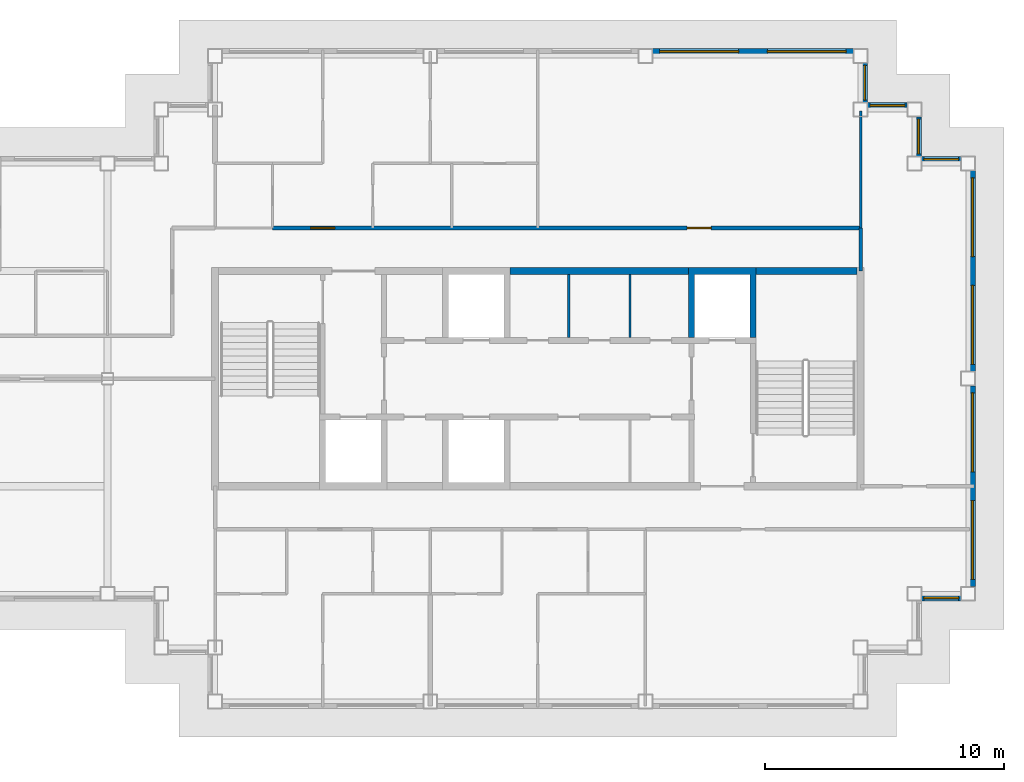
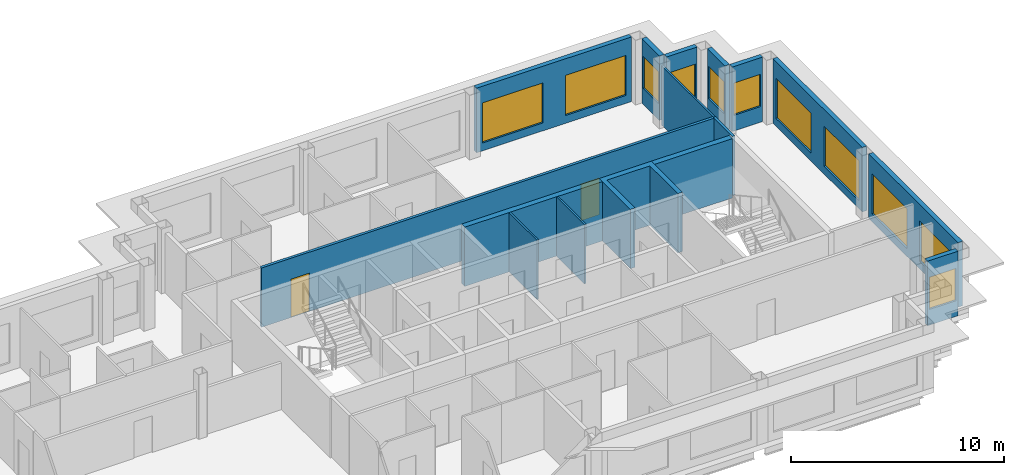
# One storey, part 6 of 11: 16 walls, 11 windows, 2 doors, 13 openings.
"""IFC4 building model written with IfcOpenShell, lengths in metres."""

from ifc_helpers import new_model, si_unit, direction, frame, frame_2d, origin, place, context, subcontext, project, spatial, polyline, rectangle, outline, extrude, material, layer, layer_set, type_object, element, fill, save


model = new_model("IFC4")

# Units and contexts
model_context = context("Model", 3, precision=1e-05, world=origin(), true_north=direction((0.0, 1.0)))
body_context = subcontext(model_context, "Body", "Model", "MODEL_VIEW")
ifc_project = project(units=[si_unit("LENGTHUNIT", "METRE"), si_unit("AREAUNIT", "SQUARE_METRE"), si_unit("VOLUMEUNIT", "CUBIC_METRE"), si_unit("PLANEANGLEUNIT", "RADIAN"), si_unit("MASSUNIT", "GRAM", prefix="KILO")], contexts=[model_context])

# Site, building, storey
site_placement = place(None, origin())
site = spatial("IfcSite", under=ifc_project, at=site_placement, CompositionType="ELEMENT")
building_placement = place(site_placement, origin())
building = spatial("IfcBuilding", under=site, at=building_placement, Name="Caravel Reach Hotel and Residences", CompositionType="ELEMENT")
storey_placement = place(building_placement, frame((0.0, 0.0, 256.39990234375)))
storey = spatial("IfcBuildingStorey", under=building, at=storey_placement, Name="L65", CompositionType="ELEMENT", Elevation=256.39990234375)

# Walls
ifc_material_1 = material(Name="Concrete C60", Category="concrete")
ifc_layer_1 = layer(ifc_material_1, 0.300048828125)
ifc_layer_set_1 = layer_set([ifc_layer_1], Name="Core wall 300 mm EI 120")
wall_type_1 = type_object("IfcWallType", Name="Core wall 300 mm EI 120", PredefinedType="SHEAR", material=ifc_layer_set_1)
wall_1_placement = place(storey_placement, frame((30.33935546875, 31.5, 0.0), z_axis=(0.0, 0.0, 1.0), x_axis=(1.0, 0.0, 0.0)))
element("IfcWall", 1, at=wall_1_placement, inside=storey, type_object=wall_type_1, Name="L65 core wall N2", PredefinedType="SHEAR", context=body_context, shape_type="SweptSolid", body=[
    extrude(rectangle(XDim=7.464111328125, YDim=0.300048828125, at=frame_2d((3.73193359375, 0.0))), origin(), (0.0, 0.0, 1.0), 3.400146484375),
])
wall_2_placement = place(storey_placement, frame((40.625, 31.5, 0.0), z_axis=(0.0, 0.0, 1.0), x_axis=(1.0, 0.0, 0.0)))
element("IfcWall", 2, at=wall_2_placement, inside=storey, type_object=wall_type_1, Name="L65 core wall N3", PredefinedType="SHEAR", context=body_context, shape_type="SweptSolid", body=[
    extrude(rectangle(XDim=4.22509765625, YDim=0.300048828125, at=frame_2d((2.112548828125, 0.0))), origin(), (0.0, 0.0, 1.0), 3.400146484375),
])

# Wall, openings, doors
ifc_material_2 = material(Name="Gypsum board on steel stud, fire-rated", Category="steel")
ifc_layer_2 = layer(ifc_material_2, 0.14990234375)
ifc_layer_set_2 = layer_set([ifc_layer_2], Name="Corridor wall 150 mm EI 60")
wall_type_2 = type_object("IfcWallType", Name="Corridor wall 150 mm EI 60", PredefinedType="PARTITIONING", material=ifc_layer_set_2)
wall_3_placement = place(storey_placement, frame((20.39990234375, 33.300048828125, 0.0), z_axis=(0.0, 0.0, 1.0), x_axis=(1.0, 0.0, 0.0)))
wall_3 = element("IfcWall", 3, at=wall_3_placement, inside=storey, type_object=wall_type_2, Name="L65 wall w012", PredefinedType="PARTITIONING", context=body_context, shape_type="SweptSolid", body=[
    extrude(rectangle(XDim=24.60009765625, YDim=0.14990234375, at=frame_2d((12.300048828125, 0.0))), origin(), (0.0, 0.0, 1.0), 3.400146484375),
])
opening_1_placement = place(wall_3_placement, frame((1.60009765625, 0.0, 0.0)))
opening_1 = element("IfcOpeningElement", 4, at=opening_1_placement, cuts=wall_3, Name="Opening D65-018", PredefinedType="OPENING", context=body_context, shape_type="SweptSolid", body=[
    extrude(rectangle(XDim=1.0, YDim=2.199951171875, at=frame_2d((0.5, 1.10009765625))), frame((0.0, 0.0849609375, 0.0), z_axis=(0.0, -1.0, 0.0), x_axis=(1.0, 0.0, 0.0)), (0.0, 0.0, 1.0), 0.169921875),
])
opening_2_placement = place(wall_3_placement, frame((17.35009765625, 0.0, 0.0)))
opening_2 = element("IfcOpeningElement", 5, at=opening_2_placement, cuts=wall_3, Name="Opening D65-024", PredefinedType="OPENING", context=body_context, shape_type="SweptSolid", body=[
    extrude(rectangle(XDim=1.0, YDim=2.10009765625, at=frame_2d((0.5, 1.050048828125))), frame((0.0, 0.0849609375, 0.0), z_axis=(0.0, -1.0, 0.0), x_axis=(1.0, 0.0, 0.0)), (0.0, 0.0, 1.0), 0.169921875),
])
ifc_material_3 = material(Name="Steel fire door leaf", Category="steel")
door_type_1 = type_object("IfcDoorType", Name="Fire door 1000 x 2100 EI 60", OperationType="SINGLE_SWING_LEFT", PredefinedType="DOOR", material=ifc_material_3)
door_1_placement = place(opening_2_placement, origin())
door_1 = element("IfcDoor", 6, at=door_1_placement, inside=storey, type_object=door_type_1, Name="door D65-024", OperationType="SINGLE_SWING_RIGHT", OverallHeight=2.10009765625, OverallWidth=1.0, PredefinedType="DOOR", context=body_context, shape_type="SweptSolid", body=[
    extrude(rectangle(XDim=1.0, YDim=2.10009765625, at=frame_2d((0.5, 1.050048828125))), frame((0.0, 0.02490234375, 0.0), z_axis=(0.0, -1.0, 0.0), x_axis=(1.0, 0.0, 0.0)), (0.0, 0.0, 1.0), 0.050048828125),
])
fill(opening_2, door_1)
ifc_material_4 = material(Name="Steel fire door leaf", Category="steel")
door_type_2 = type_object("IfcDoorType", Name="Flat entrance door 1000 x 2200 EI 60", OperationType="SINGLE_SWING_LEFT", PredefinedType="DOOR", material=ifc_material_4)
door_2_placement = place(opening_1_placement, origin())
door_2 = element("IfcDoor", 7, at=door_2_placement, inside=storey, type_object=door_type_2, Name="door D65-018", OperationType="SINGLE_SWING_RIGHT", OverallHeight=2.199951171875, OverallWidth=1.0, PredefinedType="DOOR", context=body_context, shape_type="SweptSolid", body=[
    extrude(rectangle(XDim=1.0, YDim=2.199951171875, at=frame_2d((0.5, 1.10009765625))), frame((0.0, 0.02490234375, 0.0), z_axis=(0.0, -1.0, 0.0), x_axis=(1.0, 0.0, 0.0)), (0.0, 0.0, 1.0), 0.050048828125),
])
fill(opening_1, door_2)

# Wall
wall_4_placement = place(storey_placement, frame((45.0, 31.5, 0.0), z_axis=(0.0, 0.0, 1.0), x_axis=(0.0, 1.0, 0.0)))
element("IfcWall", 8, at=wall_4_placement, inside=storey, type_object=wall_type_2, Name="L65 wall w020", PredefinedType="PARTITIONING", context=body_context, shape_type="SweptSolid", body=[
    extrude(rectangle(XDim=1.800048828125, YDim=0.14990234375, at=frame_2d((0.89990234375, 0.0))), origin(), (0.0, 0.0, 1.0), 3.400146484375),
])

# Wall, opening, window
ifc_material_5 = material(Name="Insulated rainscreen wall, aluminium cladding", Category="aluminium")
ifc_layer_3 = layer(ifc_material_5, 0.25)
ifc_layer_set_3 = layer_set([ifc_layer_3], Name="EW1 Tower rainscreen wall")
wall_type_3 = type_object("IfcWallType", Name="EW1 Tower rainscreen wall", PredefinedType="SOLIDWALL", material=ifc_layer_set_3)
wall_5_placement = place(storey_placement, frame((47.550048828125, 17.824951171875, 0.0), z_axis=(0.0, 0.0, 1.0), x_axis=(1.0, 0.0, 0.0)))
wall_5 = element("IfcWall", 9, at=wall_5_placement, inside=storey, type_object=wall_type_3, Name="External wall L65 S8.1", PredefinedType="SOLIDWALL", context=body_context, shape_type="SweptSolid", body=[
    extrude(rectangle(XDim=1.64990234375, YDim=0.25, at=frame_2d((0.824951171875, 0.0))), origin(), (0.0, 0.0, 1.0), 3.7001953125),
])
opening_3_placement = place(wall_5_placement, frame((0.10009765625, 0.0, 0.89990234375)))
opening_3 = element("IfcOpeningElement", 10, at=opening_3_placement, cuts=wall_5, Name="Opening WN25", PredefinedType="OPENING", context=body_context, shape_type="SweptSolid", body=[
    extrude(rectangle(XDim=1.449951171875, YDim=1.85009765625, at=frame_2d((0.72509765625, 0.925048828125))), frame((0.0, 0.135009765625, 0.0), z_axis=(0.0, -1.0, 0.0), x_axis=(1.0, 0.0, 0.0)), (0.0, 0.0, 1.0), 0.27001953125),
])
ifc_material_6 = material(Name="Dark low-e glazing in black aluminium frame", Category="aluminium")
window_type_1 = type_object("IfcWindowType", Name="Residence bedroom window 1450 x 1850", PartitioningType="SINGLE_PANEL", PredefinedType="WINDOW", material=ifc_material_6)
window_1_placement = place(opening_3_placement, origin())
window_1 = element("IfcWindow", 11, at=window_1_placement, inside=storey, type_object=window_type_1, Name="Window L65 S8.1.1", OverallHeight=1.85009765625, OverallWidth=1.449951171875, PartitioningType="SINGLE_PANEL", PredefinedType="WINDOW", context=body_context, shape_type="SweptSolid", body=[
    extrude(rectangle(XDim=1.449951171875, YDim=1.85009765625, at=frame_2d((0.72509765625, 0.925048828125))), frame((0.0, 0.030029296875, 0.0), z_axis=(0.0, -1.0, 0.0), x_axis=(1.0, 0.0, 0.0)), (0.0, 0.0, 1.0), 0.06005859375),
])
fill(opening_3, window_1)

# Wall, openings, windows
wall_6_placement = place(storey_placement, frame((49.675048828125, 18.300048828125, 0.0), z_axis=(0.0, 0.0, 1.0), x_axis=(0.0, 1.0, 0.0)))
wall_6 = element("IfcWall", 12, at=wall_6_placement, inside=storey, type_object=wall_type_3, Name="External wall L65 E9.1", PredefinedType="SOLIDWALL", context=body_context, shape_type="SweptSolid", body=[
    extrude(rectangle(XDim=8.39990234375, YDim=0.25, at=frame_2d((4.199951171875, 0.0))), origin(), (0.0, 0.0, 1.0), 3.7001953125),
])
opening_4_placement = place(wall_6_placement, frame((0.300048828125, 0.0, 0.449951171875)))
opening_4 = element("IfcOpeningElement", 13, at=opening_4_placement, cuts=wall_6, Name="Opening WN15", PredefinedType="OPENING", context=body_context, shape_type="SweptSolid", body=[
    extrude(rectangle(XDim=3.300048828125, YDim=2.300048828125, at=frame_2d((1.64990234375, 1.14990234375))), frame((0.0, 0.135009765625, 0.0), z_axis=(0.0, -1.0, 0.0), x_axis=(1.0, 0.0, 0.0)), (0.0, 0.0, 1.0), 0.27001953125),
])
opening_5_placement = place(wall_6_placement, frame((4.800048828125, 0.0, 0.449951171875)))
opening_5 = element("IfcOpeningElement", 14, at=opening_5_placement, cuts=wall_6, Name="Opening WN15", PredefinedType="OPENING", context=body_context, shape_type="SweptSolid", body=[
    extrude(rectangle(XDim=3.300048828125, YDim=2.300048828125, at=frame_2d((1.64990234375, 1.14990234375))), frame((0.0, 0.135009765625, 0.0), z_axis=(0.0, -1.0, 0.0), x_axis=(1.0, 0.0, 0.0)), (0.0, 0.0, 1.0), 0.27001953125),
])
ifc_material_7 = material(Name="Dark low-e glazing in black aluminium frame", Category="aluminium")
window_type_2 = type_object("IfcWindowType", Name="Residence living window 3300 x 2300", PartitioningType="SINGLE_PANEL", PredefinedType="WINDOW", material=ifc_material_7)
window_2_placement = place(opening_4_placement, origin())
window_2 = element("IfcWindow", 15, at=window_2_placement, inside=storey, type_object=window_type_2, Name="Window L65 E9.1.1", OverallHeight=2.300048828125, OverallWidth=3.300048828125, PartitioningType="SINGLE_PANEL", PredefinedType="WINDOW", context=body_context, shape_type="SweptSolid", body=[
    extrude(rectangle(XDim=3.300048828125, YDim=2.300048828125, at=frame_2d((1.64990234375, 1.14990234375))), frame((0.0, 0.030029296875, 0.0), z_axis=(0.0, -1.0, 0.0), x_axis=(1.0, 0.0, 0.0)), (0.0, 0.0, 1.0), 0.06005859375),
])
fill(opening_4, window_2)
window_3_placement = place(opening_5_placement, origin())
window_3 = element("IfcWindow", 16, at=window_3_placement, inside=storey, type_object=window_type_2, Name="Window L65 E9.1.2", OverallHeight=2.300048828125, OverallWidth=3.300048828125, PartitioningType="SINGLE_PANEL", PredefinedType="WINDOW", context=body_context, shape_type="SweptSolid", body=[
    extrude(rectangle(XDim=3.300048828125, YDim=2.300048828125, at=frame_2d((1.64990234375, 1.14990234375))), frame((0.0, 0.030029296875, 0.0), z_axis=(0.0, -1.0, 0.0), x_axis=(1.0, 0.0, 0.0)), (0.0, 0.0, 1.0), 0.06005859375),
])
fill(opening_5, window_3)

wall_7_placement = place(storey_placement, frame((49.675048828125, 27.300048828125, 0.0), z_axis=(0.0, 0.0, 1.0), x_axis=(0.0, 1.0, 0.0)))
wall_7 = element("IfcWall", 17, at=wall_7_placement, inside=storey, type_object=wall_type_3, Name="External wall L65 E9.2", PredefinedType="SOLIDWALL", context=body_context, shape_type="SweptSolid", body=[
    extrude(rectangle(XDim=8.39990234375, YDim=0.25, at=frame_2d((4.199951171875, 0.0))), origin(), (0.0, 0.0, 1.0), 3.7001953125),
])
opening_6_placement = place(wall_7_placement, frame((0.300048828125, 0.0, 0.449951171875)))
opening_6 = element("IfcOpeningElement", 18, at=opening_6_placement, cuts=wall_7, Name="Opening WN15", PredefinedType="OPENING", context=body_context, shape_type="SweptSolid", body=[
    extrude(rectangle(XDim=3.300048828125, YDim=2.300048828125, at=frame_2d((1.64990234375, 1.14990234375))), frame((0.0, 0.135009765625, 0.0), z_axis=(0.0, -1.0, 0.0), x_axis=(1.0, 0.0, 0.0)), (0.0, 0.0, 1.0), 0.27001953125),
])
opening_7_placement = place(wall_7_placement, frame((4.800048828125, 0.0, 0.449951171875)))
opening_7 = element("IfcOpeningElement", 19, at=opening_7_placement, cuts=wall_7, Name="Opening WN15", PredefinedType="OPENING", context=body_context, shape_type="SweptSolid", body=[
    extrude(rectangle(XDim=3.300048828125, YDim=2.300048828125, at=frame_2d((1.64990234375, 1.14990234375))), frame((0.0, 0.135009765625, 0.0), z_axis=(0.0, -1.0, 0.0), x_axis=(1.0, 0.0, 0.0)), (0.0, 0.0, 1.0), 0.27001953125),
])
window_4_placement = place(opening_6_placement, origin())
window_4 = element("IfcWindow", 20, at=window_4_placement, inside=storey, type_object=window_type_2, Name="Window L65 E9.2.1", OverallHeight=2.300048828125, OverallWidth=3.300048828125, PartitioningType="SINGLE_PANEL", PredefinedType="WINDOW", context=body_context, shape_type="SweptSolid", body=[
    extrude(rectangle(XDim=3.300048828125, YDim=2.300048828125, at=frame_2d((1.64990234375, 1.14990234375))), frame((0.0, 0.030029296875, 0.0), z_axis=(0.0, -1.0, 0.0), x_axis=(1.0, 0.0, 0.0)), (0.0, 0.0, 1.0), 0.06005859375),
])
fill(opening_6, window_4)
window_5_placement = place(opening_7_placement, origin())
window_5 = element("IfcWindow", 21, at=window_5_placement, inside=storey, type_object=window_type_2, Name="Window L65 E9.2.2", OverallHeight=2.300048828125, OverallWidth=3.300048828125, PartitioningType="SINGLE_PANEL", PredefinedType="WINDOW", context=body_context, shape_type="SweptSolid", body=[
    extrude(rectangle(XDim=3.300048828125, YDim=2.300048828125, at=frame_2d((1.64990234375, 1.14990234375))), frame((0.0, 0.030029296875, 0.0), z_axis=(0.0, -1.0, 0.0), x_axis=(1.0, 0.0, 0.0)), (0.0, 0.0, 1.0), 0.06005859375),
])
fill(opening_7, window_5)

# Wall, opening, window
wall_8_placement = place(storey_placement, frame((49.199951171875, 36.175048828125, 0.0), z_axis=(0.0, 0.0, 1.0), x_axis=(-1.0, 0.0, 0.0)))
wall_8 = element("IfcWall", 22, at=wall_8_placement, inside=storey, type_object=wall_type_3, Name="External wall L65 N10.1", PredefinedType="SOLIDWALL", context=body_context, shape_type="SweptSolid", body=[
    extrude(rectangle(XDim=1.64990234375, YDim=0.25, at=frame_2d((0.824951171875, 0.0))), origin(), (0.0, 0.0, 1.0), 3.7001953125),
])
opening_8_placement = place(wall_8_placement, frame((0.10009765625, 0.0, 0.89990234375)))
opening_8 = element("IfcOpeningElement", 23, at=opening_8_placement, cuts=wall_8, Name="Opening WN25", PredefinedType="OPENING", context=body_context, shape_type="SweptSolid", body=[
    extrude(rectangle(XDim=1.449951171875, YDim=1.85009765625, at=frame_2d((0.72509765625, 0.925048828125))), frame((0.0, 0.135009765625, 0.0), z_axis=(0.0, -1.0, 0.0), x_axis=(1.0, 0.0, 0.0)), (0.0, 0.0, 1.0), 0.27001953125),
])
window_6_placement = place(opening_8_placement, origin())
window_6 = element("IfcWindow", 24, at=window_6_placement, inside=storey, type_object=window_type_1, Name="Window L65 N10.1.1", OverallHeight=1.85009765625, OverallWidth=1.449951171875, PartitioningType="SINGLE_PANEL", PredefinedType="WINDOW", context=body_context, shape_type="SweptSolid", body=[
    extrude(rectangle(XDim=1.449951171875, YDim=1.85009765625, at=frame_2d((0.72509765625, 0.925048828125))), frame((0.0, 0.030029296875, 0.0), z_axis=(0.0, -1.0, 0.0), x_axis=(1.0, 0.0, 0.0)), (0.0, 0.0, 1.0), 0.06005859375),
])
fill(opening_8, window_6)

wall_9_placement = place(storey_placement, frame((47.425048828125, 36.300048828125, 0.0), z_axis=(0.0, 0.0, 1.0), x_axis=(0.0, 1.0, 0.0)))
wall_9 = element("IfcWall", 25, at=wall_9_placement, inside=storey, type_object=wall_type_3, Name="External wall L65 E11.1", PredefinedType="SOLIDWALL", context=body_context, shape_type="SweptSolid", body=[
    extrude(rectangle(XDim=1.64990234375, YDim=0.25, at=frame_2d((0.824951171875, 0.0))), origin(), (0.0, 0.0, 1.0), 3.7001953125),
])
opening_9_placement = place(wall_9_placement, frame((0.10009765625, 0.0, 0.89990234375)))
opening_9 = element("IfcOpeningElement", 26, at=opening_9_placement, cuts=wall_9, Name="Opening WN25", PredefinedType="OPENING", context=body_context, shape_type="SweptSolid", body=[
    extrude(rectangle(XDim=1.449951171875, YDim=1.85009765625, at=frame_2d((0.72509765625, 0.925048828125))), frame((0.0, 0.135009765625, 0.0), z_axis=(0.0, -1.0, 0.0), x_axis=(1.0, 0.0, 0.0)), (0.0, 0.0, 1.0), 0.27001953125),
])
window_7_placement = place(opening_9_placement, origin())
window_7 = element("IfcWindow", 27, at=window_7_placement, inside=storey, type_object=window_type_1, Name="Window L65 E11.1.1", OverallHeight=1.85009765625, OverallWidth=1.449951171875, PartitioningType="SINGLE_PANEL", PredefinedType="WINDOW", context=body_context, shape_type="SweptSolid", body=[
    extrude(rectangle(XDim=1.449951171875, YDim=1.85009765625, at=frame_2d((0.72509765625, 0.925048828125))), frame((0.0, 0.030029296875, 0.0), z_axis=(0.0, -1.0, 0.0), x_axis=(1.0, 0.0, 0.0)), (0.0, 0.0, 1.0), 0.06005859375),
])
fill(opening_9, window_7)

wall_10_placement = place(storey_placement, frame((46.949951171875, 38.425048828125, 0.0), z_axis=(0.0, 0.0, 1.0), x_axis=(-1.0, 0.0, 0.0)))
wall_10 = element("IfcWall", 28, at=wall_10_placement, inside=storey, type_object=wall_type_3, Name="External wall L65 N12.1", PredefinedType="SOLIDWALL", context=body_context, shape_type="SweptSolid", body=[
    extrude(rectangle(XDim=1.64990234375, YDim=0.25, at=frame_2d((0.824951171875, 0.0))), origin(), (0.0, 0.0, 1.0), 3.7001953125),
])
opening_10_placement = place(wall_10_placement, frame((0.10009765625, 0.0, 0.89990234375)))
opening_10 = element("IfcOpeningElement", 29, at=opening_10_placement, cuts=wall_10, Name="Opening WN25", PredefinedType="OPENING", context=body_context, shape_type="SweptSolid", body=[
    extrude(rectangle(XDim=1.449951171875, YDim=1.85009765625, at=frame_2d((0.72509765625, 0.925048828125))), frame((0.0, 0.135009765625, 0.0), z_axis=(0.0, -1.0, 0.0), x_axis=(1.0, 0.0, 0.0)), (0.0, 0.0, 1.0), 0.27001953125),
])
window_8_placement = place(opening_10_placement, origin())
window_8 = element("IfcWindow", 30, at=window_8_placement, inside=storey, type_object=window_type_1, Name="Window L65 N12.1.1", OverallHeight=1.85009765625, OverallWidth=1.449951171875, PartitioningType="SINGLE_PANEL", PredefinedType="WINDOW", context=body_context, shape_type="SweptSolid", body=[
    extrude(rectangle(XDim=1.449951171875, YDim=1.85009765625, at=frame_2d((0.72509765625, 0.925048828125))), frame((0.0, 0.030029296875, 0.0), z_axis=(0.0, -1.0, 0.0), x_axis=(1.0, 0.0, 0.0)), (0.0, 0.0, 1.0), 0.06005859375),
])
fill(opening_10, window_8)

wall_11_placement = place(storey_placement, frame((45.175048828125, 38.550048828125, 0.0), z_axis=(0.0, 0.0, 1.0), x_axis=(0.0, 1.0, 0.0)))
wall_11 = element("IfcWall", 31, at=wall_11_placement, inside=storey, type_object=wall_type_3, Name="External wall L65 E13.1", PredefinedType="SOLIDWALL", context=body_context, shape_type="SweptSolid", body=[
    extrude(rectangle(XDim=1.64990234375, YDim=0.25, at=frame_2d((0.824951171875, 0.0))), origin(), (0.0, 0.0, 1.0), 3.7001953125),
])
opening_11_placement = place(wall_11_placement, frame((0.10009765625, 0.0, 0.89990234375)))
opening_11 = element("IfcOpeningElement", 32, at=opening_11_placement, cuts=wall_11, Name="Opening WN25", PredefinedType="OPENING", context=body_context, shape_type="SweptSolid", body=[
    extrude(rectangle(XDim=1.449951171875, YDim=1.85009765625, at=frame_2d((0.72509765625, 0.925048828125))), frame((0.0, 0.135009765625, 0.0), z_axis=(0.0, -1.0, 0.0), x_axis=(1.0, 0.0, 0.0)), (0.0, 0.0, 1.0), 0.27001953125),
])
window_9_placement = place(opening_11_placement, origin())
window_9 = element("IfcWindow", 33, at=window_9_placement, inside=storey, type_object=window_type_1, Name="Window L65 E13.1.1", OverallHeight=1.85009765625, OverallWidth=1.449951171875, PartitioningType="SINGLE_PANEL", PredefinedType="WINDOW", context=body_context, shape_type="SweptSolid", body=[
    extrude(rectangle(XDim=1.449951171875, YDim=1.85009765625, at=frame_2d((0.72509765625, 0.925048828125))), frame((0.0, 0.030029296875, 0.0), z_axis=(0.0, -1.0, 0.0), x_axis=(1.0, 0.0, 0.0)), (0.0, 0.0, 1.0), 0.06005859375),
])
fill(opening_11, window_9)

# Wall, openings, windows
wall_12_placement = place(storey_placement, frame((44.699951171875, 40.675048828125, 0.0), z_axis=(0.0, 0.0, 1.0), x_axis=(-1.0, 0.0, 0.0)))
wall_12 = element("IfcWall", 34, at=wall_12_placement, inside=storey, type_object=wall_type_3, Name="External wall L65 N14.1", PredefinedType="SOLIDWALL", context=body_context, shape_type="SweptSolid", body=[
    extrude(rectangle(XDim=8.39990234375, YDim=0.25, at=frame_2d((4.199951171875, 0.0))), origin(), (0.0, 0.0, 1.0), 3.7001953125),
])
opening_12_placement = place(wall_12_placement, frame((0.300048828125, 0.0, 0.449951171875)))
opening_12 = element("IfcOpeningElement", 35, at=opening_12_placement, cuts=wall_12, Name="Opening WN15", PredefinedType="OPENING", context=body_context, shape_type="SweptSolid", body=[
    extrude(rectangle(XDim=3.300048828125, YDim=2.300048828125, at=frame_2d((1.64990234375, 1.14990234375))), frame((0.0, 0.135009765625, 0.0), z_axis=(0.0, -1.0, 0.0), x_axis=(1.0, 0.0, 0.0)), (0.0, 0.0, 1.0), 0.27001953125),
])
opening_13_placement = place(wall_12_placement, frame((4.800048828125, 0.0, 0.449951171875)))
opening_13 = element("IfcOpeningElement", 36, at=opening_13_placement, cuts=wall_12, Name="Opening WN15", PredefinedType="OPENING", context=body_context, shape_type="SweptSolid", body=[
    extrude(rectangle(XDim=3.300048828125, YDim=2.300048828125, at=frame_2d((1.64990234375, 1.14990234375))), frame((0.0, 0.135009765625, 0.0), z_axis=(0.0, -1.0, 0.0), x_axis=(1.0, 0.0, 0.0)), (0.0, 0.0, 1.0), 0.27001953125),
])
window_10_placement = place(opening_12_placement, origin())
window_10 = element("IfcWindow", 37, at=window_10_placement, inside=storey, type_object=window_type_2, Name="Window L65 N14.1.1", OverallHeight=2.300048828125, OverallWidth=3.300048828125, PartitioningType="SINGLE_PANEL", PredefinedType="WINDOW", context=body_context, shape_type="SweptSolid", body=[
    extrude(rectangle(XDim=3.300048828125, YDim=2.300048828125, at=frame_2d((1.64990234375, 1.14990234375))), frame((0.0, 0.030029296875, 0.0), z_axis=(0.0, -1.0, 0.0), x_axis=(1.0, 0.0, 0.0)), (0.0, 0.0, 1.0), 0.06005859375),
])
fill(opening_12, window_10)
window_11_placement = place(opening_13_placement, origin())
window_11 = element("IfcWindow", 38, at=window_11_placement, inside=storey, type_object=window_type_2, Name="Window L65 N14.1.2", OverallHeight=2.300048828125, OverallWidth=3.300048828125, PartitioningType="SINGLE_PANEL", PredefinedType="WINDOW", context=body_context, shape_type="SweptSolid", body=[
    extrude(rectangle(XDim=3.300048828125, YDim=2.300048828125, at=frame_2d((1.64990234375, 1.14990234375))), frame((0.0, 0.030029296875, 0.0), z_axis=(0.0, -1.0, 0.0), x_axis=(1.0, 0.0, 0.0)), (0.0, 0.0, 1.0), 0.06005859375),
])
fill(opening_13, window_11)

# Walls
ifc_material_8 = material(Name="Gypsum board on steel stud", Category="steel")
ifc_layer_4 = layer(ifc_material_8, 0.10009765625)
ifc_layer_set_4 = layer_set([ifc_layer_4], Name="Partition 100 mm")
wall_type_4 = type_object("IfcWallType", Name="Partition 100 mm", PredefinedType="PARTITIONING", material=ifc_layer_set_4)
for number, where, z_axis, x_axis, name in (
    (39, (32.78564453125, 28.72509765625, 0.0), (0.0, 0.0, 1.0), (0.0, 1.0, 0.0), "L65 store partition"),
    (40, (35.357177734375, 28.72509765625, 0.0), (0.0, 0.0, 1.0), (0.0, 1.0, 0.0), "L65 store partition"),
):
    element("IfcWall", number, at=place(storey_placement, frame(where, z_axis=z_axis, x_axis=x_axis)), inside=storey, type_object=wall_type_4, Name=name, PredefinedType="PARTITIONING", context=body_context, shape_type="SweptSolid", body=[
        extrude(rectangle(XDim=2.625, YDim=0.10009765625, at=frame_2d((1.3125, 0.0))), origin(), (0.0, 0.0, 1.0), 3.400146484375),
    ])
wall_13_placement = place(storey_placement, frame((45.0, 33.300048828125, 0.0), z_axis=(0.0, 0.0, 1.0), x_axis=(0.0, 1.0, 0.0)))
element("IfcWall", 41, at=wall_13_placement, inside=storey, type_object=wall_type_4, Name="L65 wall w049", PredefinedType="PARTITIONING", context=body_context, shape_type="SweptSolid", body=[
    extrude(rectangle(XDim=4.89990234375, YDim=0.10009765625, at=frame_2d((2.449951171875, 0.0))), origin(), (0.0, 0.0, 1.0), 3.400146484375),
])
ifc_material_9 = material(Name="Concrete C60", Category="concrete")
ifc_layer_5 = layer(ifc_material_9, 0.25)
ifc_layer_set_5 = layer_set([ifc_layer_5], Name="Shaft wall 250 mm EI 120")
wall_type_5 = type_object("IfcWallType", Name="Shaft wall 250 mm EI 120", PredefinedType="SHEAR", material=ifc_layer_set_5)
wall_14_placement = place(storey_placement, origin())
element("IfcWall", 42, at=wall_14_placement, inside=storey, type_object=wall_type_5, Name="L65 lift shaft wall N2", PredefinedType="SHEAR", context=body_context, shape_type="SweptSolid", body=[
    extrude(outline(polyline([(37.803466796875, 28.72509765625), (38.053466796875, 28.72509765625), (38.053466796875, 31.35009765625), (40.375, 31.35009765625), (40.375, 28.72509765625), (40.625, 28.72509765625), (40.625, 31.64990234375), (37.803466796875, 31.64990234375), (37.803466796875, 28.72509765625)])), origin(), (0.0, 0.0, 1.0), 3.400146484375),
])

save(model, "model.ifc")
